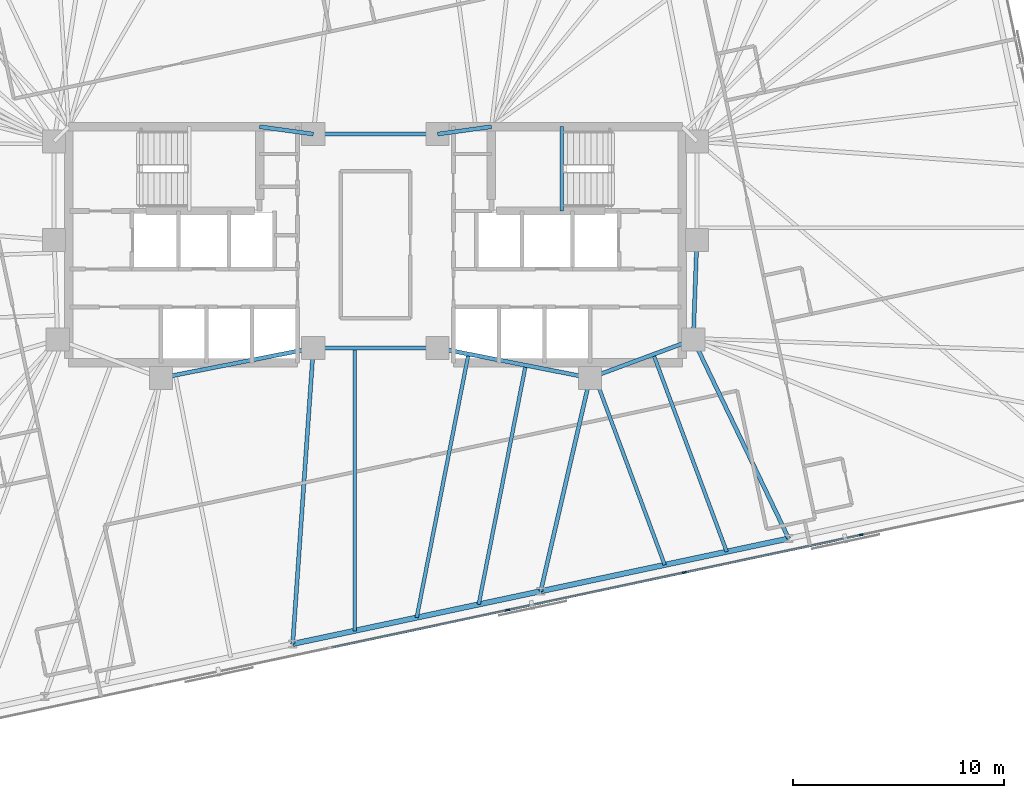
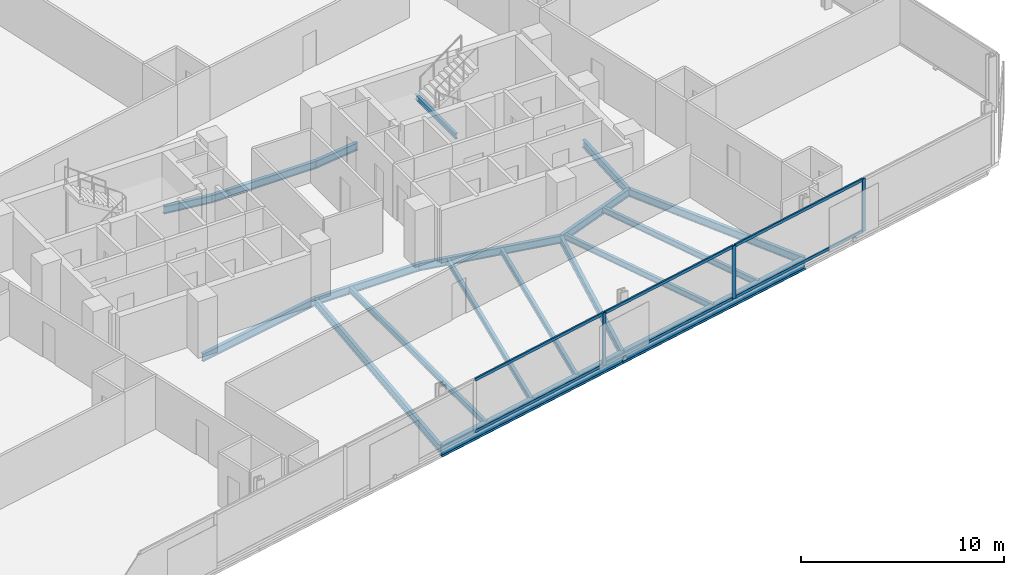
# One storey, part 7 of 19: 19 beams, 9 members, 1 element without a shape of its own.
"""IFC4 building model written with IfcOpenShell, lengths in metres."""

from ifc_helpers import new_model, si_unit, direction, frame, origin, origin_2d, place, context, subcontext, project, spatial, rectangle, i_section, extrude, material, material_profile, profile_set, type_object, element, aggregate, save


model = new_model("IFC4")

# Units and contexts
model_context = context("Model", 3, precision=1e-05, world=origin(), true_north=direction((0.0, 1.0)))
body_context = subcontext(model_context, "Body", "Model", "MODEL_VIEW")
ifc_project = project(units=[si_unit("LENGTHUNIT", "METRE"), si_unit("AREAUNIT", "SQUARE_METRE"), si_unit("VOLUMEUNIT", "CUBIC_METRE"), si_unit("PLANEANGLEUNIT", "RADIAN"), si_unit("MASSUNIT", "GRAM", prefix="KILO")], contexts=[model_context])

# Site, building, storey
site_placement = place(None, origin())
site = spatial("IfcSite", under=ifc_project, at=site_placement, CompositionType="ELEMENT")
building_placement = place(site_placement, origin())
building = spatial("IfcBuilding", under=site, at=building_placement, Name="Menara Jurai Vektor", CompositionType="ELEMENT")
storey_placement = place(building_placement, frame((0.0, 0.0, 192.199951171875)))
storey = spatial("IfcBuildingStorey", under=building, at=storey_placement, Name="L50", CompositionType="ELEMENT", Elevation=192.199951171875)

# Curtain wall, members
ifc_material_1 = material(Name="Anodised Pale Aluminium & Low-E Double Glazing", Category="aluminium")
curtain_wall_type = type_object("IfcCurtainWallType", Name="CW-BLK3", PredefinedType="NOTDEFINED", material=ifc_material_1)
curtain_wall_placement = place(storey_placement, origin())
curtain_wall = element("IfcCurtainWall", 1, at=curtain_wall_placement, inside=storey, type_object=curtain_wall_type, Name="Unitised Curtain Wall L50 F01", PredefinedType="NOTDEFINED")
ifc_material_2 = material(Name="Anodised Pale Aluminium Mullion", Category="aluminium")
ifc_material_profile_1 = material_profile(ifc_material_2, rectangle(XDim=0.0849609375, YDim=0.205078125, at=origin_2d()), Name="ALU MUL 85x205")
ifc_profile_set_1 = profile_set([ifc_material_profile_1], Name="Anodised Pale Aluminium Mullion")
member_type_1 = type_object("IfcMemberType", Name="CW-BLK3-MUL", PredefinedType="MULLION", material=ifc_profile_set_1)
member_1_placement = place(storey_placement, frame((6.264892578125, -17.338623046875, 0.0), z_axis=(0.0, 0.0, 1.0), x_axis=(-0.207911344156, 0.978147674419, 0.0)))
member_1 = element("IfcMember", 2, at=member_1_placement, type_object=member_type_1, Name="CW-03 mullion 5", PredefinedType="MULLION", context=body_context, shape_type="SweptSolid", body=[
    extrude(rectangle(XDim=0.0849609375, YDim=0.205078125, at=origin_2d()), origin(), (0.0, 0.0, 1.0), 3.175048828125),
])
member_2_placement = place(storey_placement, frame((14.65478515625, -15.55517578125, 0.0), z_axis=(0.0, 0.0, 1.0), x_axis=(-0.207911344156, 0.978147674419, 0.0)))
member_2 = element("IfcMember", 3, at=member_2_placement, type_object=member_type_1, Name="CW-03 mullion 6", PredefinedType="MULLION", context=body_context, shape_type="SweptSolid", body=[
    extrude(rectangle(XDim=0.0849609375, YDim=0.205078125, at=origin_2d()), origin(), (0.0, 0.0, 1.0), 3.175048828125),
])
member_3_placement = place(storey_placement, frame((23.04443359375, -13.77197265625, 0.0), z_axis=(0.0, 0.0, 1.0), x_axis=(-0.207911344156, 0.978147674419, 0.0)))
member_3 = element("IfcMember", 4, at=member_3_placement, type_object=member_type_1, Name="CW-03 mullion 7", PredefinedType="MULLION", context=body_context, shape_type="SweptSolid", body=[
    extrude(rectangle(XDim=0.0849609375, YDim=0.205078125, at=origin_2d()), origin(), (0.0, 0.0, 1.0), 3.175048828125),
])
ifc_material_3 = material(Name="Anodised Pale Aluminium Transom", Category="aluminium")
ifc_material_profile_2 = material_profile(ifc_material_3, rectangle(XDim=0.0849609375, YDim=0.175048828125, at=origin_2d()), Name="ALU TRN 85x175")
ifc_profile_set_2 = profile_set([ifc_material_profile_2], Name="Anodised Pale Aluminium Transom")
member_type_2 = type_object("IfcMemberType", Name="CW-BLK3-TRN", PredefinedType="USERDEFINED", material=ifc_profile_set_2)
member_4_placement = place(storey_placement, frame((-2.083251953125, -19.113037109375, 0.04248046875), z_axis=(0.978147743708, 0.207911018178, 0.0), x_axis=(-0.207911018178, 0.978147743708, 0.0)))
member_4 = element("IfcMember", 5, at=member_4_placement, type_object=member_type_2, Name="CW-03 transom 4.1", ObjectType="TRANSOM", PredefinedType="USERDEFINED", context=body_context, shape_type="SweptSolid", body=[
    extrude(rectangle(XDim=0.0849609375, YDim=0.175048828125, at=origin_2d()), origin(), (0.0, 0.0, 1.0), 8.4921875),
])
member_5_placement = place(storey_placement, frame((-2.083251953125, -19.113037109375, 3.132568359375), z_axis=(0.978147743708, 0.207911018178, 0.0), x_axis=(-0.207911018178, 0.978147743708, 0.0)))
member_5 = element("IfcMember", 6, at=member_5_placement, type_object=member_type_2, Name="CW-03 transom 4.2", ObjectType="TRANSOM", PredefinedType="USERDEFINED", context=body_context, shape_type="SweptSolid", body=[
    extrude(rectangle(XDim=0.0849609375, YDim=0.175048828125, at=origin_2d()), origin(), (0.0, 0.0, 1.0), 8.4921875),
])
member_6_placement = place(storey_placement, frame((6.306640625, -17.329833984375, 0.04248046875), z_axis=(0.978146500933, 0.207916864907, 0.0), x_axis=(-0.207916864907, 0.978146500933, 0.0)))
member_6 = element("IfcMember", 7, at=member_6_placement, type_object=member_type_2, Name="CW-03 transom 5.1", ObjectType="TRANSOM", PredefinedType="USERDEFINED", context=body_context, shape_type="SweptSolid", body=[
    extrude(rectangle(XDim=0.0849609375, YDim=0.175048828125, at=origin_2d()), origin(), (0.0, 0.0, 1.0), 8.491943359375),
])
member_7_placement = place(storey_placement, frame((6.306640625, -17.329833984375, 3.132568359375), z_axis=(0.978146500933, 0.207916864907, 0.0), x_axis=(-0.207916864907, 0.978146500933, 0.0)))
member_7 = element("IfcMember", 8, at=member_7_placement, type_object=member_type_2, Name="CW-03 transom 5.2", ObjectType="TRANSOM", PredefinedType="USERDEFINED", context=body_context, shape_type="SweptSolid", body=[
    extrude(rectangle(XDim=0.0849609375, YDim=0.175048828125, at=origin_2d()), origin(), (0.0, 0.0, 1.0), 8.491943359375),
])
member_8_placement = place(storey_placement, frame((14.6962890625, -15.54638671875, 0.04248046875), z_axis=(0.978147743708, 0.207911018178, 0.0), x_axis=(-0.207911018178, 0.978147743708, 0.0)))
member_8 = element("IfcMember", 9, at=member_8_placement, type_object=member_type_2, Name="CW-03 transom 6.1", ObjectType="TRANSOM", PredefinedType="USERDEFINED", context=body_context, shape_type="SweptSolid", body=[
    extrude(rectangle(XDim=0.0849609375, YDim=0.175048828125, at=origin_2d()), origin(), (0.0, 0.0, 1.0), 8.4921875),
])
member_9_placement = place(storey_placement, frame((14.6962890625, -15.54638671875, 3.132568359375), z_axis=(0.978147743708, 0.207911018178, 0.0), x_axis=(-0.207911018178, 0.978147743708, 0.0)))
member_9 = element("IfcMember", 10, at=member_9_placement, type_object=member_type_2, Name="CW-03 transom 6.2", ObjectType="TRANSOM", PredefinedType="USERDEFINED", context=body_context, shape_type="SweptSolid", body=[
    extrude(rectangle(XDim=0.0849609375, YDim=0.175048828125, at=origin_2d()), origin(), (0.0, 0.0, 1.0), 8.4921875),
])
aggregate(curtain_wall, [member_1, member_2, member_3, member_4, member_5, member_6, member_7, member_8, member_9])

# Beams
ifc_material_4 = material(Name="Steel S355", Category="steel")
ifc_material_profile_3 = material_profile(ifc_material_4, i_section(OverallWidth=0.19091796875, OverallDepth=0.4599609375, WebThickness=0.010009765625, FlangeThickness=0.01611328125, FilletRadius=0.010009765625, at=origin_2d()), Name="UKB 457x191x82")
ifc_profile_set_3 = profile_set([ifc_material_profile_3], Name="Steel S355")
beam_type_1 = type_object("IfcBeamType", Name="STR-BM-457", PredefinedType="BEAM", material=ifc_profile_set_3)
beam_1_placement = place(storey_placement, frame((-5.5, 5.60009765625, -0.454833984375), z_axis=(0.990706818608, -0.136014703483, 0.0), x_axis=(0.136014703483, 0.990706818608, 0.0)))
element("IfcBeam", 11, at=beam_1_placement, inside=storey, type_object=beam_type_1, Name="Core Ring Header Girder L50-CHW-N2", PredefinedType="BEAM", context=body_context, shape_type="SweptSolid", body=[
    extrude(i_section(OverallWidth=0.19091796875, OverallDepth=0.4599609375, WebThickness=0.010009765625, FlangeThickness=0.01611328125, FilletRadius=0.010009765625, at=origin_2d()), origin(), (0.0, 0.0, 1.0), 2.573974609375),
])
beam_2_placement = place(storey_placement, frame((-10.179931640625, -6.320068359375, -0.454833984375), z_axis=(0.981249044334, 0.192744164614, 0.0), x_axis=(-0.192744164614, 0.981249044334, 0.0)))
element("IfcBeam", 12, at=beam_2_placement, inside=storey, type_object=beam_type_1, Name="Core Ring Header Girder L50-CHW-S2", PredefinedType="BEAM", context=body_context, shape_type="SweptSolid", body=[
    extrude(i_section(OverallWidth=0.19091796875, OverallDepth=0.4599609375, WebThickness=0.010009765625, FlangeThickness=0.01611328125, FilletRadius=0.010009765625, at=origin_2d()), origin(), (0.0, 0.0, 1.0), 7.3681640625),
])
beam_3_placement = place(storey_placement, frame((2.949951171875, 5.25, -0.454833984375), z_axis=(0.990706818608, 0.136014703483, 0.0), x_axis=(-0.136014703483, 0.990706818608, 0.0)))
element("IfcBeam", 13, at=beam_3_placement, inside=storey, type_object=beam_type_1, Name="Core Ring Header Girder L50-CHE-N1", PredefinedType="BEAM", context=body_context, shape_type="SweptSolid", body=[
    extrude(i_section(OverallWidth=0.19091796875, OverallDepth=0.4599609375, WebThickness=0.010009765625, FlangeThickness=0.01611328125, FilletRadius=0.010009765625, at=origin_2d()), origin(), (0.0, 0.0, 1.0), 2.573974609375),
])
beam_4_placement = place(storey_placement, frame((15.080078125, -4.5, -0.454833984375), z_axis=(0.035977314146, 0.999352606874, 0.0), x_axis=(-0.999352606874, 0.035977314146, 0.0)))
element("IfcBeam", 14, at=beam_4_placement, inside=storey, type_object=beam_type_1, Name="Core Ring Header Girder L50-CHE-E2", PredefinedType="BEAM", context=body_context, shape_type="SweptSolid", body=[
    extrude(i_section(OverallWidth=0.19091796875, OverallDepth=0.4599609375, WebThickness=0.010009765625, FlangeThickness=0.01611328125, FilletRadius=0.010009765625, at=origin_2d()), origin(), (0.0, 0.0, 1.0), 4.72314453125),
])
beam_5_placement = place(storey_placement, frame((10.179931640625, -6.320068359375, -0.454833984375), z_axis=(0.937424400887, 0.348188874925, 0.0), x_axis=(-0.348188874925, 0.937424400887, 0.0)))
element("IfcBeam", 15, at=beam_5_placement, inside=storey, type_object=beam_type_1, Name="Core Ring Header Girder L50-CHE-S1", PredefinedType="BEAM", context=body_context, shape_type="SweptSolid", body=[
    extrude(i_section(OverallWidth=0.19091796875, OverallDepth=0.4599609375, WebThickness=0.010009765625, FlangeThickness=0.01611328125, FilletRadius=0.010009765625, at=origin_2d()), origin(), (0.0, 0.0, 1.0), 5.227294921875),
])
beam_6_placement = place(storey_placement, frame((2.949951171875, -4.89990234375, -0.454833984375), z_axis=(0.981249044334, -0.192744164614, 0.0), x_axis=(0.192744164614, 0.981249044334, 0.0)))
element("IfcBeam", 16, at=beam_6_placement, inside=storey, type_object=beam_type_1, Name="Core Ring Header Girder L50-CHE-S2", PredefinedType="BEAM", context=body_context, shape_type="SweptSolid", body=[
    extrude(i_section(OverallWidth=0.19091796875, OverallDepth=0.4599609375, WebThickness=0.010009765625, FlangeThickness=0.01611328125, FilletRadius=0.010009765625, at=origin_2d()), origin(), (0.0, 0.0, 1.0), 7.3681640625),
])
for number, where, z_axis, x_axis, name in (
    (17, (-2.949951171875, -4.89990234375, -0.454833984375), (1.0, 0.0, 0.0), (0.0, 1.0, 0.0), "Core Ring Header Girder L50-CC-1"),
    (18, (-2.949951171875, 5.25, -0.454833984375), (1.0, 0.0, 0.0), (0.0, 1.0, 0.0), "Core Ring Header Girder L50-CC-2"),
):
    element("IfcBeam", number, at=place(storey_placement, frame(where, z_axis=z_axis, x_axis=x_axis)), inside=storey, type_object=beam_type_1, Name=name, PredefinedType="BEAM", context=body_context, shape_type="SweptSolid", body=[
        extrude(i_section(OverallWidth=0.19091796875, OverallDepth=0.4599609375, WebThickness=0.010009765625, FlangeThickness=0.01611328125, FilletRadius=0.010009765625, at=origin_2d()), origin(), (0.0, 0.0, 1.0), 5.89990234375),
    ])
beam_7_placement = place(storey_placement, frame((-3.928466796875, -18.94287109375, -0.454833984375), z_axis=(0.06951156523, 0.997581145722, 0.0), x_axis=(-0.997581145722, 0.06951156523, 0.0)))
element("IfcBeam", 19, at=beam_7_placement, inside=storey, type_object=beam_type_1, Name="Radial Floor Girder L50-S3", PredefinedType="BEAM", context=body_context, shape_type="SweptSolid", body=[
    extrude(i_section(OverallWidth=0.19091796875, OverallDepth=0.4599609375, WebThickness=0.010009765625, FlangeThickness=0.01611328125, FilletRadius=0.010009765625, at=origin_2d()), origin(), (0.0, 0.0, 1.0), 14.076904296875),
])
beam_8_placement = place(storey_placement, frame((7.83984375, -16.44140625, -0.454833984375), z_axis=(0.225261124248, 0.974298427538, 0.0), x_axis=(-0.974298427538, 0.225261124248, 0.0)))
element("IfcBeam", 20, at=beam_8_placement, inside=storey, type_object=beam_type_1, Name="Radial Floor Girder L50-S4", PredefinedType="BEAM", context=body_context, shape_type="SweptSolid", body=[
    extrude(i_section(OverallWidth=0.19091796875, OverallDepth=0.4599609375, WebThickness=0.010009765625, FlangeThickness=0.01611328125, FilletRadius=0.010009765625, at=origin_2d()), origin(), (0.0, 0.0, 1.0), 10.388427734375),
])
beam_9_placement = place(storey_placement, frame((19.608154296875, -13.940185546875, -0.454833984375), z_axis=(-0.432481646932, 0.901642736935, 0.0), x_axis=(-0.901642736935, -0.432481646932, 0.0)))
element("IfcBeam", 21, at=beam_9_placement, inside=storey, type_object=beam_type_1, Name="Radial Floor Girder L50-S5", PredefinedType="BEAM", context=body_context, shape_type="SweptSolid", body=[
    extrude(i_section(OverallWidth=0.19091796875, OverallDepth=0.4599609375, WebThickness=0.010009765625, FlangeThickness=0.01611328125, FilletRadius=0.010009765625, at=origin_2d()), origin(), (0.0, 0.0, 1.0), 10.469970703125),
])
ifc_material_profile_4 = material_profile(ifc_material_4, i_section(OverallWidth=0.172119140625, OverallDepth=0.35498046875, WebThickness=0.007080078125, FlangeThickness=0.011962890625, FilletRadius=0.010009765625, at=origin_2d()), Name="UKB 356x171x51")
ifc_profile_set_4 = profile_set([ifc_material_profile_4], Name="Steel S355")
beam_type_2 = type_object("IfcBeamType", Name="STR-JS-356", PredefinedType="JOIST", material=ifc_profile_set_4)
beam_10_placement = place(storey_placement, frame((-0.986328125, -18.3173828125, -0.40234375), z_axis=(0.0, 1.0, 0.0), x_axis=(-1.0, 0.0, 0.0)))
element("IfcBeam", 22, at=beam_10_placement, inside=storey, type_object=beam_type_2, Name="Radial Secondary Floor Joist L50-JS05", PredefinedType="JOIST", context=body_context, shape_type="SweptSolid", body=[
    extrude(i_section(OverallWidth=0.172119140625, OverallDepth=0.35498046875, WebThickness=0.007080078125, FlangeThickness=0.011962890625, FilletRadius=0.010009765625, at=origin_2d()), origin(), (0.0, 0.0, 1.0), 13.41748046875),
])
beam_11_placement = place(storey_placement, frame((1.955810546875, -17.692138671875, -0.40234375), z_axis=(0.192721917664, 0.981253413982, 0.0), x_axis=(-0.981253413982, 0.192721917664, 0.0)))
element("IfcBeam", 23, at=beam_11_placement, inside=storey, type_object=beam_type_2, Name="Radial Secondary Floor Joist L50-JS06", PredefinedType="JOIST", context=body_context, shape_type="SweptSolid", body=[
    extrude(i_section(OverallWidth=0.172119140625, OverallDepth=0.35498046875, WebThickness=0.007080078125, FlangeThickness=0.011962890625, FilletRadius=0.010009765625, at=origin_2d()), origin(), (0.0, 0.0, 1.0), 12.744140625),
])
beam_12_placement = place(storey_placement, frame((4.897705078125, -17.06689453125, -0.40234375), z_axis=(0.19272061905, 0.981253669034, 0.0), x_axis=(-0.981253669034, 0.19272061905, 0.0)))
element("IfcBeam", 24, at=beam_12_placement, inside=storey, type_object=beam_type_2, Name="Radial Secondary Floor Joist L50-JS07", PredefinedType="JOIST", context=body_context, shape_type="SweptSolid", body=[
    extrude(i_section(OverallWidth=0.172119140625, OverallDepth=0.35498046875, WebThickness=0.007080078125, FlangeThickness=0.011962890625, FilletRadius=0.010009765625, at=origin_2d()), origin(), (0.0, 0.0, 1.0), 11.5634765625),
])
beam_13_placement = place(storey_placement, frame((13.72412109375, -15.19091796875, -0.40234375), z_axis=(-0.348196799641, 0.93742145736, 0.0), x_axis=(-0.93742145736, -0.348196799641, 0.0)))
element("IfcBeam", 25, at=beam_13_placement, inside=storey, type_object=beam_type_2, Name="Radial Secondary Floor Joist L50-JS08", PredefinedType="JOIST", context=body_context, shape_type="SweptSolid", body=[
    extrude(i_section(OverallWidth=0.172119140625, OverallDepth=0.35498046875, WebThickness=0.007080078125, FlangeThickness=0.011962890625, FilletRadius=0.010009765625, at=origin_2d()), origin(), (0.0, 0.0, 1.0), 9.5498046875),
])
beam_14_placement = place(storey_placement, frame((16.666015625, -14.5654296875, -0.40234375), z_axis=(-0.348180392292, 0.93742755156, 0.0), x_axis=(-0.93742755156, -0.348180392292, 0.0)))
element("IfcBeam", 26, at=beam_14_placement, inside=storey, type_object=beam_type_2, Name="Radial Secondary Floor Joist L50-JS09", PredefinedType="JOIST", context=body_context, shape_type="SweptSolid", body=[
    extrude(i_section(OverallWidth=0.172119140625, OverallDepth=0.35498046875, WebThickness=0.007080078125, FlangeThickness=0.011962890625, FilletRadius=0.010009765625, at=origin_2d()), origin(), (0.0, 0.0, 1.0), 9.98779296875),
])
ifc_material_profile_5 = material_profile(ifc_material_4, i_section(OverallWidth=0.1650390625, OverallDepth=0.302978515625, WebThickness=0.006103515625, FlangeThickness=0.010009765625, FilletRadius=0.009033203125, at=origin_2d()), Name="UKB 305x165x40")
ifc_profile_set_5 = profile_set([ifc_material_profile_5], Name="Steel S355")
beam_type_3 = type_object("IfcBeamType", Name="STR-LN-305", PredefinedType="LINTEL", material=ifc_profile_set_5)
beam_15_placement = place(storey_placement, frame((8.830078125, 1.60009765625, 1.3486328125), z_axis=(0.0, 1.0, 0.0), x_axis=(-1.0, 0.0, 0.0)))
element("IfcBeam", 27, at=beam_15_placement, inside=storey, type_object=beam_type_3, Name="Stair Half-Landing Nosing Trimmer ST2-1 L50", PredefinedType="LINTEL", context=body_context, shape_type="SweptSolid", body=[
    extrude(i_section(OverallWidth=0.1650390625, OverallDepth=0.302978515625, WebThickness=0.006103515625, FlangeThickness=0.010009765625, FilletRadius=0.009033203125, at=origin_2d()), origin(), (0.0, 0.0, 1.0), 4.0),
])
ifc_material_5 = material(Name="Steel S460", Category="steel")
ifc_material_profile_6 = material_profile(ifc_material_5, i_section(OverallWidth=0.256103515625, OverallDepth=0.693115234375, WebThickness=0.013916015625, FlangeThickness=0.02392578125, FilletRadius=0.014892578125, at=origin_2d()), Name="UKB 686x254x170")
ifc_profile_set_6 = profile_set([ifc_material_profile_6], Name="Steel S460")
beam_type_4 = type_object("IfcBeamType", Name="STR-SP-686", PredefinedType="SPANDREL", material=ifc_profile_set_6)
for number, where, z_axis, x_axis, name in (
    (28, (-3.928466796875, -18.94287109375, -0.571533203125), (0.978147039247, 0.207914332389, 0.0), (-0.207914332389, 0.978147039247, 0.0), "Exoskeleton Spandrel Beam L50-03"),
    (29, (7.83984375, -16.44140625, -0.571533203125), (0.978151165921, 0.207894917222, 0.0), (-0.207894917222, 0.978151165921, 0.0), "Exoskeleton Spandrel Beam L50-04"),
):
    element("IfcBeam", number, at=place(storey_placement, frame(where, z_axis=z_axis, x_axis=x_axis)), inside=storey, type_object=beam_type_4, Name=name, PredefinedType="SPANDREL", context=body_context, shape_type="SweptSolid", body=[
        extrude(i_section(OverallWidth=0.256103515625, OverallDepth=0.693115234375, WebThickness=0.013916015625, FlangeThickness=0.02392578125, FilletRadius=0.014892578125, at=origin_2d()), origin(), (0.0, 0.0, 1.0), 12.03125),
    ])

save(model, "model.ifc")
